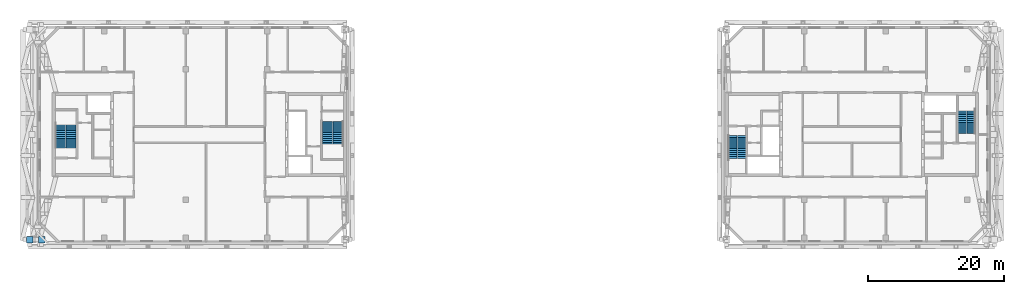
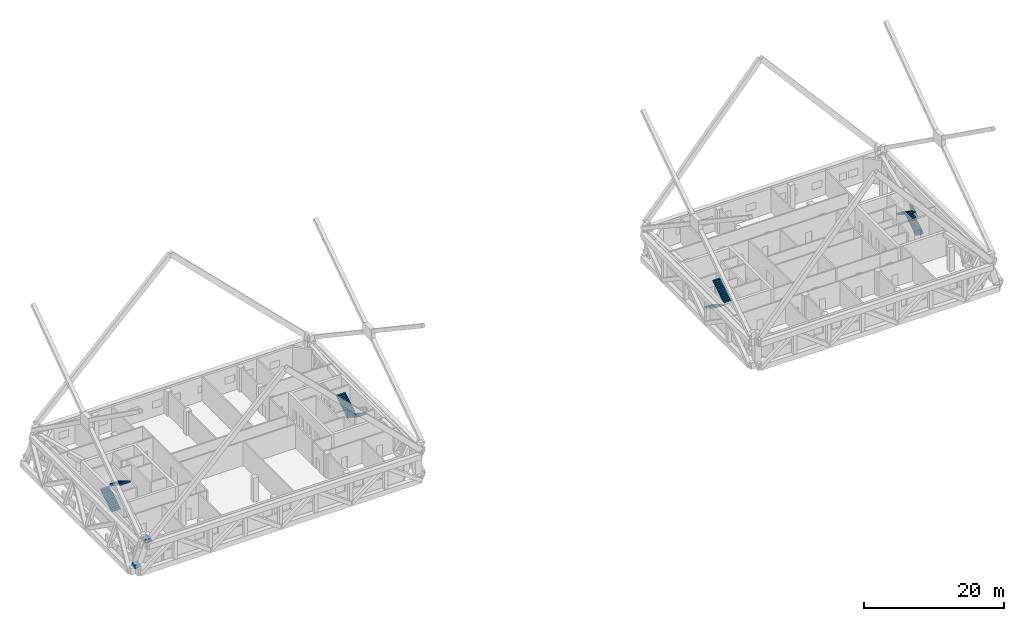
# One storey, part 17 of 20: 8 stair flights, 2 discrete accessories, 4 elements without a shape of their own.
"""IFC4 building model written with IfcOpenShell, lengths in metres."""

from ifc_helpers import new_model, si_unit, direction, frame, origin, origin_2d, place, context, subcontext, project, spatial, polyline, rectangle, outline, extrude, material, type_object, element, aggregate, save


model = new_model("IFC4")

# Units and contexts
model_context = context("Model", 3, precision=1e-05, world=origin(), true_north=direction((0.0, 1.0)))
body_context = subcontext(model_context, "Body", "Model", "MODEL_VIEW")
ifc_project = project(units=[si_unit("LENGTHUNIT", "METRE"), si_unit("AREAUNIT", "SQUARE_METRE"), si_unit("VOLUMEUNIT", "CUBIC_METRE"), si_unit("PLANEANGLEUNIT", "RADIAN"), si_unit("MASSUNIT", "GRAM", prefix="KILO")], contexts=[model_context])

# Site, building, storey
site_placement = place(None, origin())
site = spatial("IfcSite", under=ifc_project, at=site_placement, CompositionType="ELEMENT")
building_placement = place(site_placement, origin())
building = spatial("IfcBuilding", under=site, at=building_placement, Name="Tuart Gate Housing", CompositionType="ELEMENT")
storey_placement = place(building_placement, frame((0.0, 0.0, 167.10009765625)))
storey = spatial("IfcBuildingStorey", under=building, at=storey_placement, Name="L47", CompositionType="ELEMENT", Elevation=167.10009765625)

# Stair, stair flights
ifc_material_1 = material(Name="Concrete C40", Category="concrete")
stair_type_1 = type_object("IfcStairType", Name="Core stair 1250", PredefinedType="HALF_TURN_STAIR", material=ifc_material_1)
stair_1_placement = place(storey_placement, origin())
stair_1 = element("IfcStair", 1, at=stair_1_placement, inside=storey, type_object=stair_type_1, Name="Stair SB1", PredefinedType="HALF_TURN_STAIR")
ifc_material_2 = material(Name="Concrete C40", Category="concrete")
stair_flight_type_1 = type_object("IfcStairFlightType", Name="Stair flight 1250, 13 risers 173 x 280", PredefinedType="STRAIGHT", material=ifc_material_2)
stair_flight_1_placement = place(storey_placement, frame((132.43505859375, 69.875, 0.0), z_axis=(0.0, 0.0, 1.0), x_axis=(0.0, -1.0, 0.0)))
stair_flight_1 = element("IfcStairFlight", 2, at=stair_flight_1_placement, type_object=stair_flight_type_1, Name="SB1 flight 1", NumberOfRisers=13, NumberOfTreads=12, PredefinedType="STRAIGHT", RiserHeight=0.173076923, TreadLength=0.28, context=body_context, shape_type="SweptSolid", body=[
    extrude(outline(polyline([(0.0, 0.0), (0.0, 0.173095703125), (0.280029296875, 0.173095703125), (0.280029296875, 0.34619140625), (0.56005859375, 0.34619140625), (0.56005859375, 0.519287109375), (0.840087890625, 0.519287109375), (0.840087890625, 0.6923828125), (1.1201171875, 0.6923828125), (1.1201171875, 0.865478515625), (1.39990234375, 0.865478515625), (1.39990234375, 1.03857421875), (1.679931640625, 1.03857421875), (1.679931640625, 1.21142578125), (1.9599609375, 1.21142578125), (1.9599609375, 1.384521484375), (2.239990234375, 1.384521484375), (2.239990234375, 1.5576171875), (2.52001953125, 1.5576171875), (2.52001953125, 1.730712890625), (2.800048828125, 1.730712890625), (2.800048828125, 1.90380859375), (3.080078125, 1.90380859375), (3.080078125, 2.076904296875), (3.360107421875, 2.076904296875), (3.360107421875, 2.25), (3.360107421875, 1.900634765625), (0.28515625, 0.0), (0.0, 0.0)])), frame((0.0, 0.625, 0.0), z_axis=(0.0, -1.0, 0.0), x_axis=(1.0, 0.0, 0.0)), (0.0, 0.0, 1.0), 1.25),
])
stair_flight_2_placement = place(storey_placement, frame((133.760009765625, 66.514892578125, 2.25), z_axis=(0.0, 0.0, 1.0), x_axis=(0.0, 1.0, 0.0)))
stair_flight_2 = element("IfcStairFlight", 3, at=stair_flight_2_placement, type_object=stair_flight_type_1, Name="SB1 flight 2", NumberOfRisers=13, NumberOfTreads=12, PredefinedType="STRAIGHT", RiserHeight=0.173076923, TreadLength=0.28, context=body_context, shape_type="SweptSolid", body=[
    extrude(outline(polyline([(0.0, 0.0), (0.0, 0.173095703125), (0.280029296875, 0.173095703125), (0.280029296875, 0.34619140625), (0.56005859375, 0.34619140625), (0.56005859375, 0.519287109375), (0.840087890625, 0.519287109375), (0.840087890625, 0.6923828125), (1.1201171875, 0.6923828125), (1.1201171875, 0.865478515625), (1.39990234375, 0.865478515625), (1.39990234375, 1.03857421875), (1.679931640625, 1.03857421875), (1.679931640625, 1.21142578125), (1.9599609375, 1.21142578125), (1.9599609375, 1.384521484375), (2.239990234375, 1.384521484375), (2.239990234375, 1.5576171875), (2.52001953125, 1.5576171875), (2.52001953125, 1.730712890625), (2.800048828125, 1.730712890625), (2.800048828125, 1.90380859375), (3.080078125, 1.90380859375), (3.080078125, 2.076904296875), (3.360107421875, 2.076904296875), (3.360107421875, 2.25), (3.360107421875, 1.900634765625), (0.28515625, 0.0), (0.0, 0.0)])), frame((0.0, 0.625, 0.0), z_axis=(0.0, -1.0, 0.0), x_axis=(1.0, 0.0, 0.0)), (0.0, 0.0, 1.0), 1.25),
])
aggregate(stair_1, [stair_flight_1, stair_flight_2])

stair_2_placement = place(storey_placement, origin())
stair_2 = element("IfcStair", 4, at=stair_2_placement, inside=storey, type_object=stair_type_1, Name="Stair SB2", PredefinedType="HALF_TURN_STAIR")
stair_flight_3_placement = place(storey_placement, frame((167.56494140625, 70.125, 0.0), z_axis=(0.0, 0.0, 1.0), x_axis=(0.0, 1.0, 0.0)))
stair_flight_3 = element("IfcStairFlight", 5, at=stair_flight_3_placement, type_object=stair_flight_type_1, Name="SB2 flight 1", NumberOfRisers=13, NumberOfTreads=12, PredefinedType="STRAIGHT", RiserHeight=0.173076923, TreadLength=0.28, context=body_context, shape_type="SweptSolid", body=[
    extrude(outline(polyline([(0.0, 0.0), (0.0, 0.173095703125), (0.280029296875, 0.173095703125), (0.280029296875, 0.34619140625), (0.56005859375, 0.34619140625), (0.56005859375, 0.519287109375), (0.840087890625, 0.519287109375), (0.840087890625, 0.6923828125), (1.1201171875, 0.6923828125), (1.1201171875, 0.865478515625), (1.39990234375, 0.865478515625), (1.39990234375, 1.03857421875), (1.679931640625, 1.03857421875), (1.679931640625, 1.21142578125), (1.9599609375, 1.21142578125), (1.9599609375, 1.384521484375), (2.239990234375, 1.384521484375), (2.239990234375, 1.5576171875), (2.52001953125, 1.5576171875), (2.52001953125, 1.730712890625), (2.800048828125, 1.730712890625), (2.800048828125, 1.90380859375), (3.080078125, 1.90380859375), (3.080078125, 2.076904296875), (3.360107421875, 2.076904296875), (3.360107421875, 2.25), (3.360107421875, 1.900634765625), (0.28515625, 0.0), (0.0, 0.0)])), frame((0.0, 0.625, 0.0), z_axis=(0.0, -1.0, 0.0), x_axis=(1.0, 0.0, 0.0)), (0.0, 0.0, 1.0), 1.25),
])
stair_flight_4_placement = place(storey_placement, frame((166.239990234375, 73.485107421875, 2.25), z_axis=(0.0, 0.0, 1.0), x_axis=(0.0, -1.0, 0.0)))
stair_flight_4 = element("IfcStairFlight", 6, at=stair_flight_4_placement, type_object=stair_flight_type_1, Name="SB2 flight 2", NumberOfRisers=13, NumberOfTreads=12, PredefinedType="STRAIGHT", RiserHeight=0.173076923, TreadLength=0.28, context=body_context, shape_type="SweptSolid", body=[
    extrude(outline(polyline([(0.0, 0.0), (0.0, 0.173095703125), (0.280029296875, 0.173095703125), (0.280029296875, 0.34619140625), (0.56005859375, 0.34619140625), (0.56005859375, 0.519287109375), (0.840087890625, 0.519287109375), (0.840087890625, 0.6923828125), (1.1201171875, 0.6923828125), (1.1201171875, 0.865478515625), (1.39990234375, 0.865478515625), (1.39990234375, 1.03857421875), (1.679931640625, 1.03857421875), (1.679931640625, 1.21142578125), (1.9599609375, 1.21142578125), (1.9599609375, 1.384521484375), (2.239990234375, 1.384521484375), (2.239990234375, 1.5576171875), (2.52001953125, 1.5576171875), (2.52001953125, 1.730712890625), (2.800048828125, 1.730712890625), (2.800048828125, 1.90380859375), (3.080078125, 1.90380859375), (3.080078125, 2.076904296875), (3.360107421875, 2.076904296875), (3.360107421875, 2.25), (3.360107421875, 1.900634765625), (0.28515625, 0.0), (0.0, 0.0)])), frame((0.0, 0.625, 0.0), z_axis=(0.0, -1.0, 0.0), x_axis=(1.0, 0.0, 0.0)), (0.0, 0.0, 1.0), 1.25),
])
aggregate(stair_2, [stair_flight_3, stair_flight_4])

ifc_material_3 = material(Name="Concrete C40", Category="concrete")
stair_type_2 = type_object("IfcStairType", Name="Core stair 1500", PredefinedType="HALF_TURN_STAIR", material=ifc_material_3)
stair_3_placement = place(storey_placement, origin())
stair_3 = element("IfcStair", 7, at=stair_3_placement, inside=storey, type_object=stair_type_2, Name="Stair SA1", PredefinedType="HALF_TURN_STAIR")
ifc_material_4 = material(Name="Concrete C40", Category="concrete")
stair_flight_type_2 = type_object("IfcStairFlightType", Name="Stair flight 1500, 13 risers 173 x 280", PredefinedType="STRAIGHT", material=ifc_material_4)
stair_flight_5_placement = place(storey_placement, frame((74.43994140625, 71.949951171875, 0.0), z_axis=(0.0, 0.0, 1.0), x_axis=(0.0, -1.0, 0.0)))
stair_flight_5 = element("IfcStairFlight", 8, at=stair_flight_5_placement, type_object=stair_flight_type_2, Name="SA1 flight 1", NumberOfRisers=13, NumberOfTreads=12, PredefinedType="STRAIGHT", RiserHeight=0.173076923, TreadLength=0.28, context=body_context, shape_type="SweptSolid", body=[
    extrude(outline(polyline([(0.0, 0.0), (0.0, 0.173095703125), (0.280029296875, 0.173095703125), (0.280029296875, 0.34619140625), (0.56005859375, 0.34619140625), (0.56005859375, 0.519287109375), (0.840087890625, 0.519287109375), (0.840087890625, 0.6923828125), (1.1201171875, 0.6923828125), (1.1201171875, 0.865478515625), (1.39990234375, 0.865478515625), (1.39990234375, 1.03857421875), (1.679931640625, 1.03857421875), (1.679931640625, 1.21142578125), (1.9599609375, 1.21142578125), (1.9599609375, 1.384521484375), (2.239990234375, 1.384521484375), (2.239990234375, 1.5576171875), (2.52001953125, 1.5576171875), (2.52001953125, 1.730712890625), (2.800048828125, 1.730712890625), (2.800048828125, 1.90380859375), (3.080078125, 1.90380859375), (3.080078125, 2.076904296875), (3.360107421875, 2.076904296875), (3.360107421875, 2.25), (3.360107421875, 1.900634765625), (0.28515625, 0.0), (0.0, 0.0)])), frame((0.0, 0.75, 0.0), z_axis=(0.0, -1.0, 0.0), x_axis=(1.0, 0.0, 0.0)), (0.0, 0.0, 1.0), 1.5),
])
stair_flight_6_placement = place(storey_placement, frame((72.864990234375, 68.590087890625, 2.25), z_axis=(0.0, 0.0, 1.0), x_axis=(0.0, 1.0, 0.0)))
stair_flight_6 = element("IfcStairFlight", 9, at=stair_flight_6_placement, type_object=stair_flight_type_2, Name="SA1 flight 2", NumberOfRisers=13, NumberOfTreads=12, PredefinedType="STRAIGHT", RiserHeight=0.173076923, TreadLength=0.28, context=body_context, shape_type="SweptSolid", body=[
    extrude(outline(polyline([(0.0, 0.0), (0.0, 0.173095703125), (0.280029296875, 0.173095703125), (0.280029296875, 0.34619140625), (0.56005859375, 0.34619140625), (0.56005859375, 0.519287109375), (0.840087890625, 0.519287109375), (0.840087890625, 0.6923828125), (1.1201171875, 0.6923828125), (1.1201171875, 0.865478515625), (1.39990234375, 0.865478515625), (1.39990234375, 1.03857421875), (1.679931640625, 1.03857421875), (1.679931640625, 1.21142578125), (1.9599609375, 1.21142578125), (1.9599609375, 1.384521484375), (2.239990234375, 1.384521484375), (2.239990234375, 1.5576171875), (2.52001953125, 1.5576171875), (2.52001953125, 1.730712890625), (2.800048828125, 1.730712890625), (2.800048828125, 1.90380859375), (3.080078125, 1.90380859375), (3.080078125, 2.076904296875), (3.360107421875, 2.076904296875), (3.360107421875, 2.25), (3.360107421875, 1.900634765625), (0.28515625, 0.0), (0.0, 0.0)])), frame((0.0, 0.75, 0.0), z_axis=(0.0, -1.0, 0.0), x_axis=(1.0, 0.0, 0.0)), (0.0, 0.0, 1.0), 1.5),
])
aggregate(stair_3, [stair_flight_5, stair_flight_6])

stair_4_placement = place(storey_placement, origin())
stair_4 = element("IfcStair", 10, at=stair_4_placement, inside=storey, type_object=stair_type_2, Name="Stair SA2", PredefinedType="HALF_TURN_STAIR")
stair_flight_7_placement = place(storey_placement, frame((33.56005859375, 68.050048828125, 0.0), z_axis=(0.0, 0.0, 1.0), x_axis=(0.0, 1.0, 0.0)))
stair_flight_7 = element("IfcStairFlight", 11, at=stair_flight_7_placement, type_object=stair_flight_type_2, Name="SA2 flight 1", NumberOfRisers=13, NumberOfTreads=12, PredefinedType="STRAIGHT", RiserHeight=0.173076923, TreadLength=0.28, context=body_context, shape_type="SweptSolid", body=[
    extrude(outline(polyline([(0.0, 0.0), (0.0, 0.173095703125), (0.280029296875, 0.173095703125), (0.280029296875, 0.34619140625), (0.56005859375, 0.34619140625), (0.56005859375, 0.519287109375), (0.840087890625, 0.519287109375), (0.840087890625, 0.6923828125), (1.1201171875, 0.6923828125), (1.1201171875, 0.865478515625), (1.39990234375, 0.865478515625), (1.39990234375, 1.03857421875), (1.679931640625, 1.03857421875), (1.679931640625, 1.21142578125), (1.9599609375, 1.21142578125), (1.9599609375, 1.384521484375), (2.239990234375, 1.384521484375), (2.239990234375, 1.5576171875), (2.52001953125, 1.5576171875), (2.52001953125, 1.730712890625), (2.800048828125, 1.730712890625), (2.800048828125, 1.90380859375), (3.080078125, 1.90380859375), (3.080078125, 2.076904296875), (3.360107421875, 2.076904296875), (3.360107421875, 2.25), (3.360107421875, 1.900634765625), (0.28515625, 0.0), (0.0, 0.0)])), frame((0.0, 0.75, 0.0), z_axis=(0.0, -1.0, 0.0), x_axis=(1.0, 0.0, 0.0)), (0.0, 0.0, 1.0), 1.5),
])
stair_flight_8_placement = place(storey_placement, frame((35.135009765625, 71.409912109375, 2.25), z_axis=(0.0, 0.0, 1.0), x_axis=(0.0, -1.0, 0.0)))
stair_flight_8 = element("IfcStairFlight", 12, at=stair_flight_8_placement, type_object=stair_flight_type_2, Name="SA2 flight 2", NumberOfRisers=13, NumberOfTreads=12, PredefinedType="STRAIGHT", RiserHeight=0.173076923, TreadLength=0.28, context=body_context, shape_type="SweptSolid", body=[
    extrude(outline(polyline([(0.0, 0.0), (0.0, 0.173095703125), (0.280029296875, 0.173095703125), (0.280029296875, 0.34619140625), (0.56005859375, 0.34619140625), (0.56005859375, 0.519287109375), (0.840087890625, 0.519287109375), (0.840087890625, 0.6923828125), (1.1201171875, 0.6923828125), (1.1201171875, 0.865478515625), (1.39990234375, 0.865478515625), (1.39990234375, 1.03857421875), (1.679931640625, 1.03857421875), (1.679931640625, 1.21142578125), (1.9599609375, 1.21142578125), (1.9599609375, 1.384521484375), (2.239990234375, 1.384521484375), (2.239990234375, 1.5576171875), (2.52001953125, 1.5576171875), (2.52001953125, 1.730712890625), (2.800048828125, 1.730712890625), (2.800048828125, 1.90380859375), (3.080078125, 1.90380859375), (3.080078125, 2.076904296875), (3.360107421875, 2.076904296875), (3.360107421875, 2.25), (3.360107421875, 1.900634765625), (0.28515625, 0.0), (0.0, 0.0)])), frame((0.0, 0.75, 0.0), z_axis=(0.0, -1.0, 0.0), x_axis=(1.0, 0.0, 0.0)), (0.0, 0.0, 1.0), 1.5),
])
aggregate(stair_4, [stair_flight_7, stair_flight_8])

# Discrete accessories
for number, where, z_axis, x_axis, name in (
    (13, (29.050048828125, 54.550048828125, -0.000244140625), (0.0, 0.0, 1.0), (1.0, 0.0, 0.0), "Mega column node A south-west foot L47"),
    (14, (30.800048828125, 54.550048828125, 3.89990234375), (0.0, 0.0, 1.0), (1.0, 0.0, 0.0), "Mega column node A south-west head L47"),
):
    element("IfcDiscreteAccessory", number, at=place(storey_placement, frame(where, z_axis=z_axis, x_axis=x_axis)), inside=storey, Name=name, ObjectType="Mega column node", PredefinedType="USERDEFINED", context=body_context, shape_type="SweptSolid", body=[
        extrude(rectangle(XDim=0.9599609375, YDim=0.9599609375, at=origin_2d()), origin(), (0.0, 0.0, 1.0), 0.60009765625),
    ])

save(model, "model.ifc")
